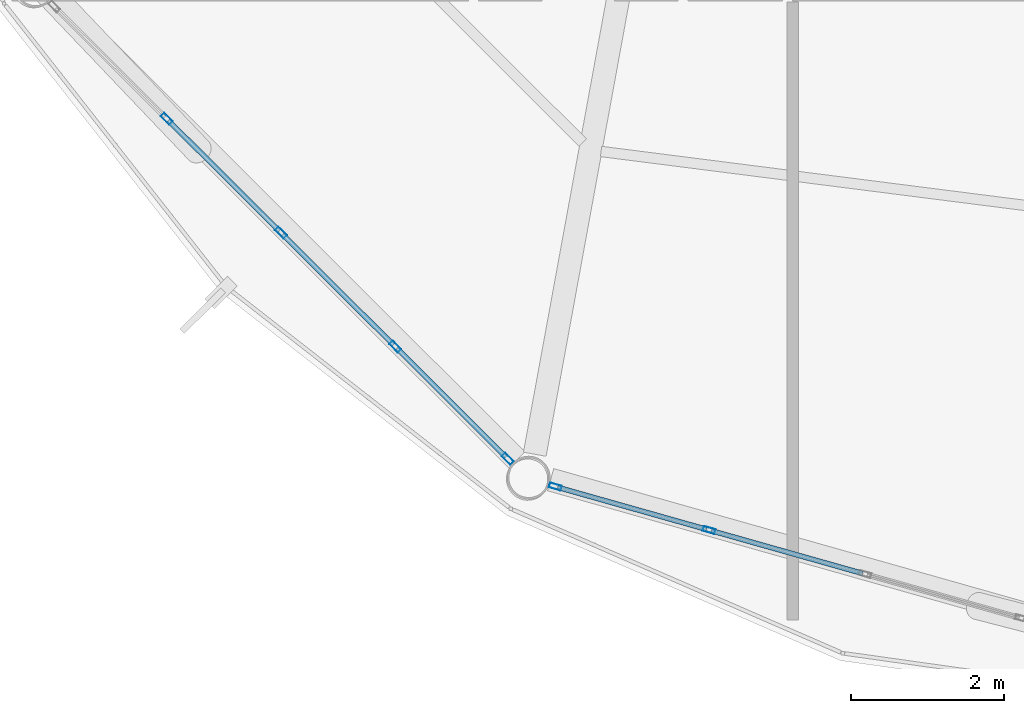
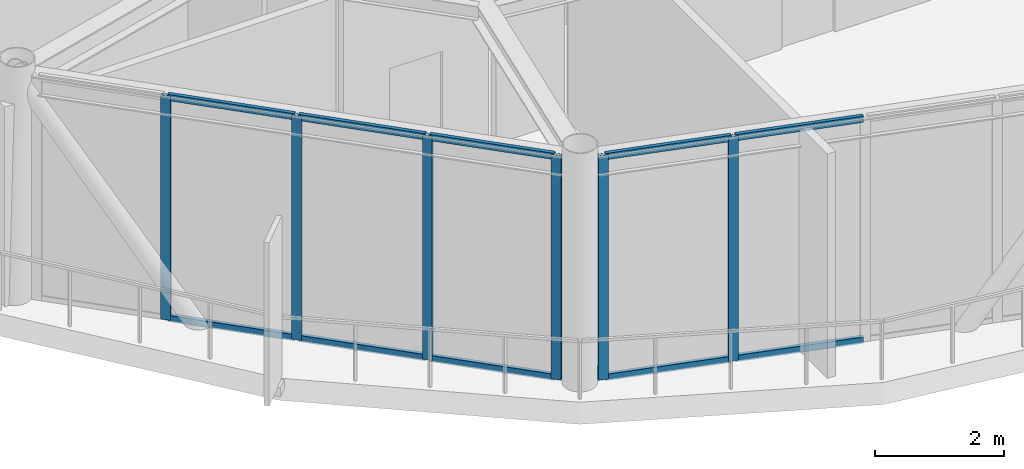
# One storey, part 2 of 26: 16 members, 2 elements without a shape of their own.
"""IFC4 building model written with IfcOpenShell, lengths in metres."""

from ifc_helpers import new_model, si_unit, direction, frame, origin, origin_2d, place, context, subcontext, project, spatial, hollow_rectangle, extrude, material, layer, layer_set, material_profile, profile_set, type_object, element, aggregate, save


model = new_model("IFC4")

# Units and contexts
model_context = context("Model", 3, precision=1e-05, world=origin(), true_north=direction((0.0, 1.0)))
body_context = subcontext(model_context, "Body", "Model", "MODEL_VIEW")
ifc_project = project(units=[si_unit("LENGTHUNIT", "METRE"), si_unit("AREAUNIT", "SQUARE_METRE"), si_unit("VOLUMEUNIT", "CUBIC_METRE"), si_unit("PLANEANGLEUNIT", "RADIAN"), si_unit("MASSUNIT", "GRAM", prefix="KILO")], contexts=[model_context])

# Site, building, storey
site_placement = place(None, origin())
site = spatial("IfcSite", under=ifc_project, at=site_placement, CompositionType="ELEMENT")
building_placement = place(site_placement, origin())
building = spatial("IfcBuilding", under=site, at=building_placement, Name="Varnakorn Sky Granary", CompositionType="ELEMENT")
storey_placement = place(building_placement, frame((0.0, 0.0, 289.5)))
storey = spatial("IfcBuildingStorey", under=building, at=storey_placement, Name="L74", CompositionType="ELEMENT", Elevation=289.5)

# Curtain wall, members
ifc_material = material(Name="Anodised Bronze Aluminium Alloy 6063-T6", Category="aluminium")
ifc_layer = layer(ifc_material, 0.159912109375, Name="Anodised Bronze Aluminium Alloy 6063-T6")
ifc_layer_set = layer_set([ifc_layer], Name="Anodised Bronze Aluminium Alloy 6063-T6")
curtain_wall_type = type_object("IfcCurtainWallType", Name="CW-OFF-1", PredefinedType="USERDEFINED", material=ifc_layer_set)
curtain_wall_1_placement = place(storey_placement, origin())
curtain_wall_1 = element("IfcCurtainWall", 1, at=curtain_wall_1_placement, inside=storey, type_object=curtain_wall_type, Name="Unitised Curtain Wall CW6 CW-L74-B08", ObjectType="CURTAIN WALL", PredefinedType="USERDEFINED")
ifc_material_profile_1 = material_profile(ifc_material, hollow_rectangle(XDim=0.06494140625, YDim=0.159912109375, WallThickness=0.00341796875, at=origin_2d()), Name="ALU MULL 65x160")
ifc_profile_set_1 = profile_set([ifc_material_profile_1], Name="Anodised Bronze Aluminium Alloy 6063-T6")
member_type_1 = type_object("IfcMemberType", Name="CW-OFF-1-MULL", PredefinedType="MULLION", material=ifc_profile_set_1)
member_1_placement = place(storey_placement, frame((-4.220947265625, -14.948974609375, 0.0), z_axis=(0.0, 0.0, 1.0), x_axis=(-0.706103251086, -0.708108889088, 0.0)))
member_1 = element("IfcMember", 2, at=member_1_placement, type_object=member_type_1, Name="CW6 mullion 1", PredefinedType="MULLION", context=body_context, shape_type="SweptSolid", body=[
    extrude(hollow_rectangle(XDim=0.06494140625, YDim=0.159912109375, WallThickness=0.00341796875, at=origin_2d()), origin(), (0.0, 0.0, 1.0), 4.260009765625),
])
member_2_placement = place(storey_placement, frame((-5.689453125, -13.484619140625, 0.0), z_axis=(0.0, 0.0, 1.0), x_axis=(-0.706103251086, -0.708108889088, 0.0)))
member_2 = element("IfcMember", 3, at=member_2_placement, type_object=member_type_1, Name="CW6 mullion 2", PredefinedType="MULLION", context=body_context, shape_type="SweptSolid", body=[
    extrude(hollow_rectangle(XDim=0.06494140625, YDim=0.159912109375, WallThickness=0.00341796875, at=origin_2d()), origin(), (0.0, 0.0, 1.0), 4.260009765625),
])
member_3_placement = place(storey_placement, frame((-7.18115234375, -11.9970703125, 0.0), z_axis=(0.0, 0.0, 1.0), x_axis=(-0.706103251086, -0.708108889088, 0.0)))
member_3 = element("IfcMember", 4, at=member_3_placement, type_object=member_type_1, Name="CW6 mullion 3", PredefinedType="MULLION", context=body_context, shape_type="SweptSolid", body=[
    extrude(hollow_rectangle(XDim=0.06494140625, YDim=0.159912109375, WallThickness=0.00341796875, at=origin_2d()), origin(), (0.0, 0.0, 1.0), 4.260009765625),
])
member_4_placement = place(storey_placement, frame((-8.6728515625, -10.509765625, 0.0), z_axis=(0.0, 0.0, 1.0), x_axis=(-0.706103251086, -0.708108889088, 0.0)))
member_4 = element("IfcMember", 5, at=member_4_placement, type_object=member_type_1, Name="CW6 mullion 4", PredefinedType="MULLION", context=body_context, shape_type="SweptSolid", body=[
    extrude(hollow_rectangle(XDim=0.06494140625, YDim=0.159912109375, WallThickness=0.00341796875, at=origin_2d()), origin(), (0.0, 0.0, 1.0), 4.260009765625),
])

curtain_wall_2_placement = place(storey_placement, origin())
curtain_wall_2 = element("IfcCurtainWall", 6, at=curtain_wall_2_placement, inside=storey, type_object=curtain_wall_type, Name="Unitised Curtain Wall CW6 CW-L74-B09", ObjectType="CURTAIN WALL", PredefinedType="USERDEFINED")
member_5_placement = place(storey_placement, frame((-1.59228515625, -15.8798828125, 0.0), z_axis=(0.0, 0.0, 1.0), x_axis=(-0.271878363446, -0.962331624488, 0.0)))
member_5 = element("IfcMember", 7, at=member_5_placement, type_object=member_type_1, Name="CW6 mullion 4", PredefinedType="MULLION", context=body_context, shape_type="SweptSolid", body=[
    extrude(hollow_rectangle(XDim=0.06494140625, YDim=0.159912109375, WallThickness=0.00341796875, at=origin_2d()), origin(), (0.0, 0.0, 1.0), 4.260009765625),
])
member_6_placement = place(storey_placement, frame((-3.599609375, -15.312744140625, 0.0), z_axis=(0.0, 0.0, 1.0), x_axis=(-0.271878363446, -0.962331624488, 0.0)))
member_6 = element("IfcMember", 8, at=member_6_placement, type_object=member_type_1, Name="CW6 mullion 5", PredefinedType="MULLION", context=body_context, shape_type="SweptSolid", body=[
    extrude(hollow_rectangle(XDim=0.06494140625, YDim=0.159912109375, WallThickness=0.00341796875, at=origin_2d()), origin(), (0.0, 0.0, 1.0), 4.260009765625),
])

# Member
ifc_material_profile_2 = material_profile(ifc_material, hollow_rectangle(XDim=0.06494140625, YDim=0.1201171875, WallThickness=0.00341796875, at=origin_2d()), Name="ALU TRAN 65x120")
ifc_profile_set_2 = profile_set([ifc_material_profile_2], Name="Anodised Bronze Aluminium Alloy 6063-T6")
member_type_2 = type_object("IfcMemberType", Name="CW-OFF-1-TRAN", PredefinedType="USERDEFINED", material=ifc_profile_set_2)
member_7_placement = place(storey_placement, frame((-4.243896484375, -14.926025390625, 0.032470703125), z_axis=(-0.708139007887, 0.706073045448, 0.0), x_axis=(-0.706073045448, -0.708139007887, 0.0)))
member_7 = element("IfcMember", 9, at=member_7_placement, type_object=member_type_2, Name="CW6 transom 1.1", ObjectType="TRANSOM", PredefinedType="USERDEFINED", context=body_context, shape_type="SweptSolid", body=[
    extrude(hollow_rectangle(XDim=0.06494140625, YDim=0.1201171875, WallThickness=0.00341796875, at=origin_2d()), origin(), (0.0, 0.0, 1.0), 2.009033203125),
])

member_8_placement = place(storey_placement, frame((-4.243896484375, -14.926025390625, 4.2275390625), z_axis=(-0.708139007887, 0.706073045448, 0.0), x_axis=(-0.706073045448, -0.708139007887, 0.0)))
member_8 = element("IfcMember", 10, at=member_8_placement, type_object=member_type_2, Name="CW6 transom 1.2", ObjectType="TRANSOM", PredefinedType="USERDEFINED", context=body_context, shape_type="SweptSolid", body=[
    extrude(hollow_rectangle(XDim=0.06494140625, YDim=0.1201171875, WallThickness=0.00341796875, at=origin_2d()), origin(), (0.0, 0.0, 1.0), 2.009033203125),
])

member_9_placement = place(storey_placement, frame((-5.712646484375, -13.461669921875, 0.032470703125), z_axis=(-0.708062814055, 0.706149453977, 0.0), x_axis=(-0.706149453977, -0.708062814055, 0.0)))
member_9 = element("IfcMember", 11, at=member_9_placement, type_object=member_type_2, Name="CW6 transom 2.1", ObjectType="TRANSOM", PredefinedType="USERDEFINED", context=body_context, shape_type="SweptSolid", body=[
    extrude(hollow_rectangle(XDim=0.06494140625, YDim=0.1201171875, WallThickness=0.00341796875, at=origin_2d()), origin(), (0.0, 0.0, 1.0), 2.04150390625),
])

member_10_placement = place(storey_placement, frame((-5.712646484375, -13.461669921875, 4.2275390625), z_axis=(-0.708062814055, 0.706149453977, 0.0), x_axis=(-0.706149453977, -0.708062814055, 0.0)))
member_10 = element("IfcMember", 12, at=member_10_placement, type_object=member_type_2, Name="CW6 transom 2.2", ObjectType="TRANSOM", PredefinedType="USERDEFINED", context=body_context, shape_type="SweptSolid", body=[
    extrude(hollow_rectangle(XDim=0.06494140625, YDim=0.1201171875, WallThickness=0.00341796875, at=origin_2d()), origin(), (0.0, 0.0, 1.0), 2.04150390625),
])

member_11_placement = place(storey_placement, frame((-7.204345703125, -11.97412109375, 0.032470703125), z_axis=(-0.70812260885, 0.706089492087, 0.0), x_axis=(-0.706089492087, -0.70812260885, 0.0)))
member_11 = element("IfcMember", 13, at=member_11_placement, type_object=member_type_2, Name="CW6 transom 3.1", ObjectType="TRANSOM", PredefinedType="USERDEFINED", context=body_context, shape_type="SweptSolid", body=[
    extrude(hollow_rectangle(XDim=0.06494140625, YDim=0.1201171875, WallThickness=0.00341796875, at=origin_2d()), origin(), (0.0, 0.0, 1.0), 2.04150390625),
])

member_12_placement = place(storey_placement, frame((-7.204345703125, -11.97412109375, 4.2275390625), z_axis=(-0.70812260885, 0.706089492087, 0.0), x_axis=(-0.706089492087, -0.70812260885, 0.0)))
member_12 = element("IfcMember", 14, at=member_12_placement, type_object=member_type_2, Name="CW6 transom 3.2", ObjectType="TRANSOM", PredefinedType="USERDEFINED", context=body_context, shape_type="SweptSolid", body=[
    extrude(hollow_rectangle(XDim=0.06494140625, YDim=0.1201171875, WallThickness=0.00341796875, at=origin_2d()), origin(), (0.0, 0.0, 1.0), 2.04150390625),
])

aggregate(curtain_wall_1, [member_1, member_2, member_3, member_4, member_7, member_8, member_9, member_10, member_11, member_12])

member_13_placement = place(storey_placement, frame((0.4150390625, -16.447021484375, 0.032470703125), z_axis=(-0.962322930265, 0.271909135349, 0.0), x_axis=(-0.271909135349, -0.962322930265, 0.0)))
member_13 = element("IfcMember", 15, at=member_13_placement, type_object=member_type_2, Name="CW6 transom 3.1", ObjectType="TRANSOM", PredefinedType="USERDEFINED", context=body_context, shape_type="SweptSolid", body=[
    extrude(hollow_rectangle(XDim=0.06494140625, YDim=0.1201171875, WallThickness=0.00341796875, at=origin_2d()), origin(), (0.0, 0.0, 1.0), 2.053466796875),
])

member_14_placement = place(storey_placement, frame((0.4150390625, -16.447021484375, 4.2275390625), z_axis=(-0.962322930265, 0.271909135349, 0.0), x_axis=(-0.271909135349, -0.962322930265, 0.0)))
member_14 = element("IfcMember", 16, at=member_14_placement, type_object=member_type_2, Name="CW6 transom 3.2", ObjectType="TRANSOM", PredefinedType="USERDEFINED", context=body_context, shape_type="SweptSolid", body=[
    extrude(hollow_rectangle(XDim=0.06494140625, YDim=0.1201171875, WallThickness=0.00341796875, at=origin_2d()), origin(), (0.0, 0.0, 1.0), 2.053466796875),
])

member_15_placement = place(storey_placement, frame((-1.62353515625, -15.87109375, 0.032470703125), z_axis=(-0.962349256464, 0.271815946152, 0.0), x_axis=(-0.271815946152, -0.962349256464, 0.0)))
member_15 = element("IfcMember", 17, at=member_15_placement, type_object=member_type_2, Name="CW6 transom 4.1", ObjectType="TRANSOM", PredefinedType="USERDEFINED", context=body_context, shape_type="SweptSolid", body=[
    extrude(hollow_rectangle(XDim=0.06494140625, YDim=0.1201171875, WallThickness=0.00341796875, at=origin_2d()), origin(), (0.0, 0.0, 1.0), 2.02099609375),
])

member_16_placement = place(storey_placement, frame((-1.62353515625, -15.87109375, 4.2275390625), z_axis=(-0.962349256464, 0.271815946152, 0.0), x_axis=(-0.271815946152, -0.962349256464, 0.0)))
member_16 = element("IfcMember", 18, at=member_16_placement, type_object=member_type_2, Name="CW6 transom 4.2", ObjectType="TRANSOM", PredefinedType="USERDEFINED", context=body_context, shape_type="SweptSolid", body=[
    extrude(hollow_rectangle(XDim=0.06494140625, YDim=0.1201171875, WallThickness=0.00341796875, at=origin_2d()), origin(), (0.0, 0.0, 1.0), 2.02099609375),
])

aggregate(curtain_wall_2, [member_5, member_6, member_13, member_14, member_15, member_16])

save(model, "model.ifc")
